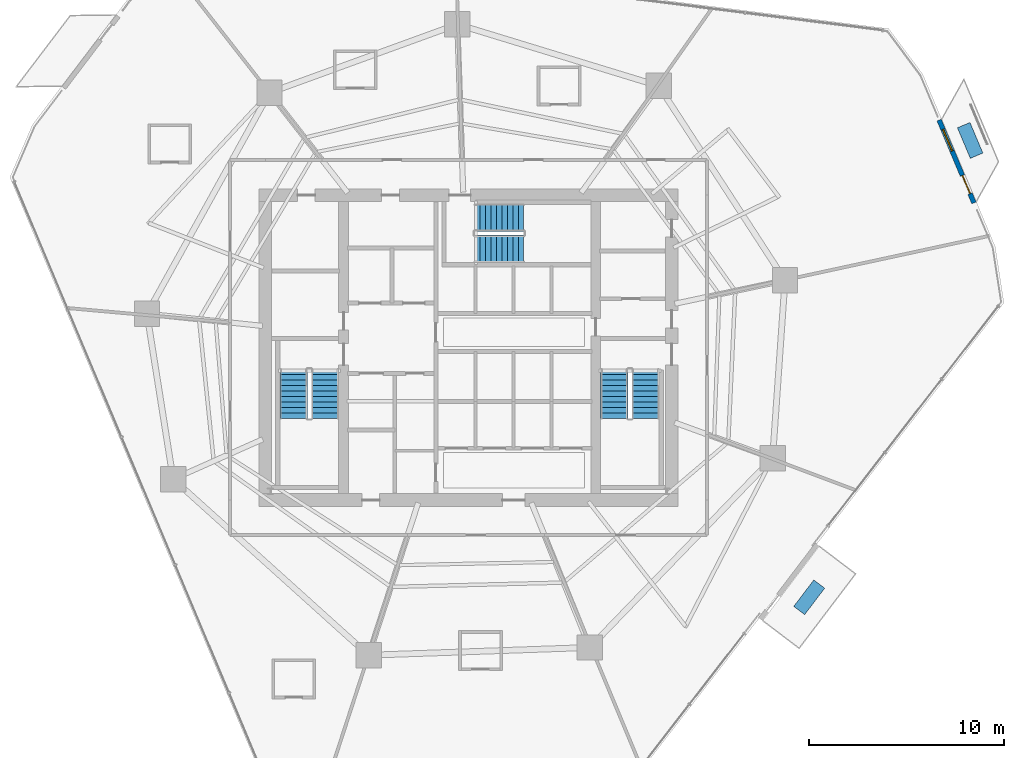
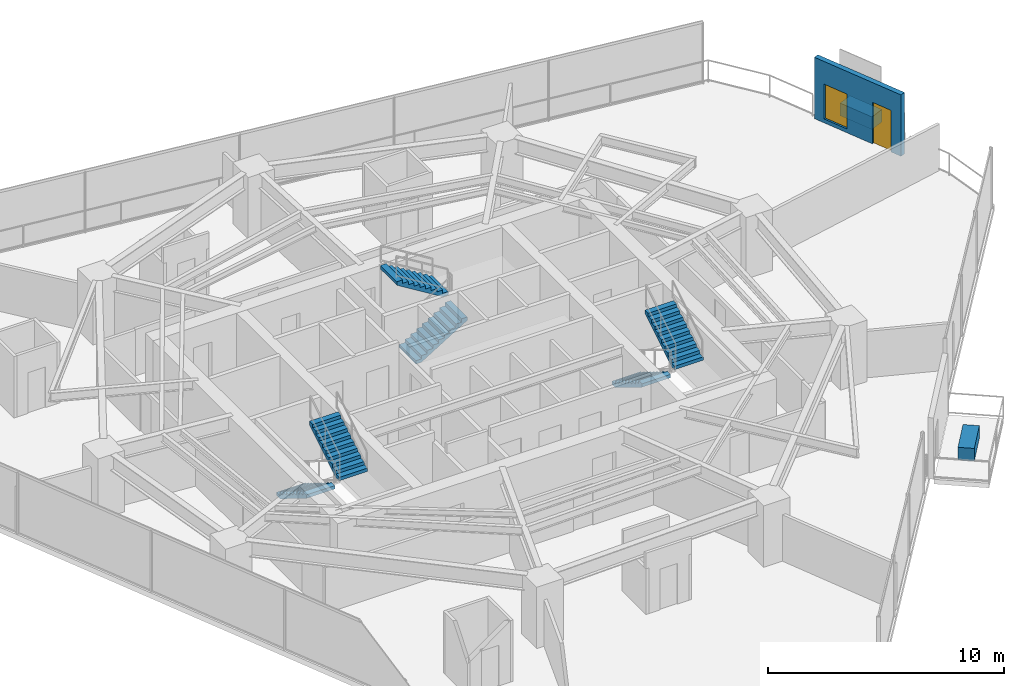
# One storey, part 28 of 30: 6 stair flights, 2 discrete accessories, 1 door, 1 wall, 1 window, 2 openings, 3 elements without a shape of their own.
"""IFC4 building model written with IfcOpenShell, lengths in metres."""

from ifc_helpers import new_model, si_unit, direction, frame, frame_2d, origin, origin_2d, place, context, subcontext, project, spatial, polyline, rectangle, outline, extrude, material, layer, layer_set, type_object, element, fill, aggregate, save


model = new_model("IFC4")

# Units and contexts
model_context = context("Model", 3, precision=1e-05, world=origin(), true_north=direction((0.0, 1.0)))
body_context = subcontext(model_context, "Body", "Model", "MODEL_VIEW")
ifc_project = project(units=[si_unit("LENGTHUNIT", "METRE"), si_unit("AREAUNIT", "SQUARE_METRE"), si_unit("VOLUMEUNIT", "CUBIC_METRE"), si_unit("PLANEANGLEUNIT", "RADIAN"), si_unit("MASSUNIT", "GRAM", prefix="KILO")], contexts=[model_context])

# Site, building, storey
site_placement = place(None, origin())
site = spatial("IfcSite", under=ifc_project, at=site_placement, CompositionType="ELEMENT")
building_placement = place(site_placement, origin())
building = spatial("IfcBuilding", under=site, at=building_placement, Name="Qarnah Convention Tower", CompositionType="ELEMENT")
storey_placement = place(building_placement, frame((0.0, 0.0, 40.800048828125)))
storey = spatial("IfcBuildingStorey", under=building, at=storey_placement, Name="L09", CompositionType="ELEMENT", Elevation=40.800048828125)

# Wall, openings, door, window
ifc_material_1 = material(Name="Precast concrete C45/55", Category="concrete")
ifc_layer = layer(ifc_material_1, 0.239990234375)
ifc_layer_set = layer_set([ifc_layer], Name="Precast concrete C45/55")
wall_type = type_object("IfcWallType", Name="WL-EXT-BAL-240", PredefinedType="SOLIDWALL", material=ifc_layer_set)
wall_placement = place(storey_placement, frame((61.27294921875, 38.0439453125, 0.0), z_axis=(0.0, 0.0, 1.0), x_axis=(0.387375943156, -0.92192183978, 0.0)))
wall = element("IfcWall", 1, at=wall_placement, inside=storey, type_object=wall_type, Name="L09 loggia threshold wall BAL-L09-C1", PredefinedType="SOLIDWALL", context=body_context, shape_type="SweptSolid", body=[
    extrude(rectangle(XDim=4.60009765625, YDim=0.239990234375, at=frame_2d((2.300048828125, 0.0))), origin(), (0.0, 0.0, 1.0), 3.169921875),
])
opening_1_placement = place(wall_placement, frame((3.080078125, 0.0, 0.0)))
opening_1 = element("IfcOpeningElement", 2, at=opening_1_placement, cuts=wall, Name="Opening BD-0901", PredefinedType="OPENING", context=body_context, shape_type="SweptSolid", body=[
    extrude(rectangle(XDim=1.0, YDim=2.14990234375, at=frame_2d((0.5, 1.074951171875))), frame((0.0, 0.1298828125, 0.0), z_axis=(0.0, -1.0, 0.0), x_axis=(1.0, 0.0, 0.0)), (0.0, 0.0, 1.0), 0.260009765625),
])
opening_2_placement = place(wall_placement, frame((0.52001953125, 0.0, 0.199951171875)))
opening_2 = element("IfcOpeningElement", 3, at=opening_2_placement, cuts=wall, Name="Opening WN5", PredefinedType="OPENING", context=body_context, shape_type="SweptSolid", body=[
    extrude(rectangle(XDim=1.199951171875, YDim=1.800048828125, at=frame_2d((0.60009765625, 0.89990234375))), frame((0.0, 0.1298828125, 0.0), z_axis=(0.0, -1.0, 0.0), x_axis=(1.0, 0.0, 0.0)), (0.0, 0.0, 1.0), 0.260009765625),
])
ifc_material_2 = material(Name="Black anodised aluminium", Category="aluminium")
door_type = type_object("IfcDoorType", Name="DT-BAL-1000", OperationType="NOTDEFINED", PredefinedType="DOOR", material=ifc_material_2)
door_placement = place(opening_1_placement, origin())
door = element("IfcDoor", 4, at=door_placement, inside=storey, type_object=door_type, Name="L09 balcony terrace door BAL-L09-C1", OperationType="SINGLE_SWING_LEFT", OverallHeight=2.14990234375, OverallWidth=1.0, PredefinedType="DOOR", context=body_context, shape_type="SweptSolid", body=[
    extrude(rectangle(XDim=1.0, YDim=2.14990234375, at=frame_2d((0.5, 1.074951171875))), frame((0.0, 0.02490234375, 0.0), z_axis=(0.0, -1.0, 0.0), x_axis=(1.0, 0.0, 0.0)), (0.0, 0.0, 1.0), 0.050048828125),
])
fill(opening_1, door)
ifc_material_3 = material(Name="Tempered Low-E dark glass", Category="glass")
window_type = type_object("IfcWindowType", Name="WT-BAL-1200X1800", PartitioningType="SINGLE_PANEL", PredefinedType="WINDOW", material=ifc_material_3)
window_placement = place(opening_2_placement, origin())
window = element("IfcWindow", 5, at=window_placement, inside=storey, type_object=window_type, Name="Window BW-BAL-L09-C1", OverallHeight=1.800048828125, OverallWidth=1.199951171875, PartitioningType="SINGLE_PANEL", PredefinedType="WINDOW", context=body_context, shape_type="SweptSolid", body=[
    extrude(rectangle(XDim=1.199951171875, YDim=1.800048828125, at=frame_2d((0.60009765625, 0.89990234375))), frame((0.0, 0.030029296875, 0.0), z_axis=(0.0, -1.0, 0.0), x_axis=(1.0, 0.0, 0.0)), (0.0, 0.0, 1.0), 0.06005859375),
])
fill(opening_2, window)

# Stair, stair flights
ifc_material_4 = material(Name="Concrete C50/60", Category="concrete")
stair_type = type_object("IfcStairType", Name="STR-HTL", PredefinedType="HALF_TURN_STAIR", material=ifc_material_4)
stair_1_placement = place(storey_placement, origin())
stair_1 = element("IfcStair", 6, at=stair_1_placement, inside=storey, type_object=stair_type, Name="L09 Core exit stair ST-1", PredefinedType="HALF_TURN_STAIR")
stair_flight_type = type_object("IfcStairFlightType", Name="FLT-HTL", PredefinedType="STRAIGHT", material=ifc_material_4)
stair_flight_1_placement = place(storey_placement, frame((28.25, 25.300048828125, 0.0), z_axis=(0.0, 0.0, 1.0), x_axis=(0.0, -1.0, 0.0)))
stair_flight_1 = element("IfcStairFlight", 7, at=stair_flight_1_placement, type_object=stair_flight_type, Name="ST-1 flight 1", NumberOfRisers=10, NumberOfTreads=9, PredefinedType="STRAIGHT", RiserHeight=0.1725, TreadLength=0.28, context=body_context, shape_type="SweptSolid", body=[
    extrude(outline(polyline([(0.0, 0.0), (0.0, 0.172607421875), (0.280029296875, 0.172607421875), (0.280029296875, 0.344970703125), (0.56005859375, 0.344970703125), (0.56005859375, 0.517578125), (0.840087890625, 0.517578125), (0.840087890625, 0.68994140625), (1.1201171875, 0.68994140625), (1.1201171875, 0.862548828125), (1.39990234375, 0.862548828125), (1.39990234375, 1.034912109375), (1.679931640625, 1.034912109375), (1.679931640625, 1.20751953125), (1.9599609375, 1.20751953125), (1.9599609375, 1.3798828125), (2.239990234375, 1.3798828125), (2.239990234375, 1.552490234375), (2.52001953125, 1.552490234375), (2.52001953125, 1.72509765625), (2.52001953125, 1.37646484375), (0.285888671875, 0.0), (0.0, 0.0)])), frame((0.0, 0.699951171875, 0.0), z_axis=(0.0, -1.0, 0.0), x_axis=(1.0, 0.0, 0.0)), (0.0, 0.0, 1.0), 1.39990234375),
])
stair_flight_2_placement = place(storey_placement, frame((29.85009765625, 22.780029296875, 1.724853515625), z_axis=(0.0, 0.0, 1.0), x_axis=(0.0, 1.0, 0.0)))
stair_flight_2 = element("IfcStairFlight", 8, at=stair_flight_2_placement, type_object=stair_flight_type, Name="ST-1 flight 2", NumberOfRisers=10, NumberOfTreads=9, PredefinedType="STRAIGHT", RiserHeight=0.1725, TreadLength=0.28, context=body_context, shape_type="SweptSolid", body=[
    extrude(outline(polyline([(0.0, 0.0), (0.0, 0.172607421875), (0.280029296875, 0.172607421875), (0.280029296875, 0.344970703125), (0.56005859375, 0.344970703125), (0.56005859375, 0.517578125), (0.840087890625, 0.517578125), (0.840087890625, 0.68994140625), (1.1201171875, 0.68994140625), (1.1201171875, 0.862548828125), (1.39990234375, 0.862548828125), (1.39990234375, 1.034912109375), (1.679931640625, 1.034912109375), (1.679931640625, 1.20751953125), (1.9599609375, 1.20751953125), (1.9599609375, 1.3798828125), (2.239990234375, 1.3798828125), (2.239990234375, 1.552490234375), (2.52001953125, 1.552490234375), (2.52001953125, 1.72509765625), (2.52001953125, 1.37646484375), (0.285888671875, 0.0), (0.0, 0.0)])), frame((0.0, 0.699951171875, 0.0), z_axis=(0.0, -1.0, 0.0), x_axis=(1.0, 0.0, 0.0)), (0.0, 0.0, 1.0), 1.39990234375),
])
aggregate(stair_1, [stair_flight_1, stair_flight_2])

stair_2_placement = place(storey_placement, origin())
stair_2 = element("IfcStair", 9, at=stair_2_placement, inside=storey, type_object=stair_type, Name="L09 Core exit stair ST-2", PredefinedType="HALF_TURN_STAIR")
stair_flight_3_placement = place(storey_placement, frame((44.64990234375, 25.300048828125, 0.0), z_axis=(0.0, 0.0, 1.0), x_axis=(0.0, -1.0, 0.0)))
stair_flight_3 = element("IfcStairFlight", 10, at=stair_flight_3_placement, type_object=stair_flight_type, Name="ST-2 flight 1", NumberOfRisers=10, NumberOfTreads=9, PredefinedType="STRAIGHT", RiserHeight=0.1725, TreadLength=0.28, context=body_context, shape_type="SweptSolid", body=[
    extrude(outline(polyline([(0.0, 0.0), (0.0, 0.172607421875), (0.280029296875, 0.172607421875), (0.280029296875, 0.344970703125), (0.56005859375, 0.344970703125), (0.56005859375, 0.517578125), (0.840087890625, 0.517578125), (0.840087890625, 0.68994140625), (1.1201171875, 0.68994140625), (1.1201171875, 0.862548828125), (1.39990234375, 0.862548828125), (1.39990234375, 1.034912109375), (1.679931640625, 1.034912109375), (1.679931640625, 1.20751953125), (1.9599609375, 1.20751953125), (1.9599609375, 1.3798828125), (2.239990234375, 1.3798828125), (2.239990234375, 1.552490234375), (2.52001953125, 1.552490234375), (2.52001953125, 1.72509765625), (2.52001953125, 1.37646484375), (0.285888671875, 0.0), (0.0, 0.0)])), frame((0.0, 0.699951171875, 0.0), z_axis=(0.0, -1.0, 0.0), x_axis=(1.0, 0.0, 0.0)), (0.0, 0.0, 1.0), 1.39990234375),
])
stair_flight_4_placement = place(storey_placement, frame((46.25, 22.780029296875, 1.724853515625), z_axis=(0.0, 0.0, 1.0), x_axis=(0.0, 1.0, 0.0)))
stair_flight_4 = element("IfcStairFlight", 11, at=stair_flight_4_placement, type_object=stair_flight_type, Name="ST-2 flight 2", NumberOfRisers=10, NumberOfTreads=9, PredefinedType="STRAIGHT", RiserHeight=0.1725, TreadLength=0.28, context=body_context, shape_type="SweptSolid", body=[
    extrude(outline(polyline([(0.0, 0.0), (0.0, 0.172607421875), (0.280029296875, 0.172607421875), (0.280029296875, 0.344970703125), (0.56005859375, 0.344970703125), (0.56005859375, 0.517578125), (0.840087890625, 0.517578125), (0.840087890625, 0.68994140625), (1.1201171875, 0.68994140625), (1.1201171875, 0.862548828125), (1.39990234375, 0.862548828125), (1.39990234375, 1.034912109375), (1.679931640625, 1.034912109375), (1.679931640625, 1.20751953125), (1.9599609375, 1.20751953125), (1.9599609375, 1.3798828125), (2.239990234375, 1.3798828125), (2.239990234375, 1.552490234375), (2.52001953125, 1.552490234375), (2.52001953125, 1.72509765625), (2.52001953125, 1.37646484375), (0.285888671875, 0.0), (0.0, 0.0)])), frame((0.0, 0.699951171875, 0.0), z_axis=(0.0, -1.0, 0.0), x_axis=(1.0, 0.0, 0.0)), (0.0, 0.0, 1.0), 1.39990234375),
])
aggregate(stair_2, [stair_flight_3, stair_flight_4])

stair_3_placement = place(storey_placement, origin())
stair_3 = element("IfcStair", 12, at=stair_3_placement, inside=storey, type_object=stair_type, Name="L09 Core exit stair ST-3", PredefinedType="HALF_TURN_STAIR")
stair_flight_5_placement = place(storey_placement, frame((37.5, 31.449951171875, 0.0), z_axis=(0.0, 0.0, 1.0), x_axis=(1.0, 0.0, 0.0)))
stair_flight_5 = element("IfcStairFlight", 13, at=stair_flight_5_placement, type_object=stair_flight_type, Name="ST-3 flight 1", NumberOfRisers=10, NumberOfTreads=9, PredefinedType="STRAIGHT", RiserHeight=0.1725, TreadLength=0.28, context=body_context, shape_type="SweptSolid", body=[
    extrude(outline(polyline([(0.0, 0.0), (0.0, 0.172607421875), (0.280029296875, 0.172607421875), (0.280029296875, 0.344970703125), (0.56005859375, 0.344970703125), (0.56005859375, 0.517578125), (0.840087890625, 0.517578125), (0.840087890625, 0.68994140625), (1.1201171875, 0.68994140625), (1.1201171875, 0.862548828125), (1.39990234375, 0.862548828125), (1.39990234375, 1.034912109375), (1.679931640625, 1.034912109375), (1.679931640625, 1.20751953125), (1.9599609375, 1.20751953125), (1.9599609375, 1.3798828125), (2.239990234375, 1.3798828125), (2.239990234375, 1.552490234375), (2.52001953125, 1.552490234375), (2.52001953125, 1.72509765625), (2.52001953125, 1.37646484375), (0.285888671875, 0.0), (0.0, 0.0)])), frame((0.0, 0.699951171875, 0.0), z_axis=(0.0, -1.0, 0.0), x_axis=(1.0, 0.0, 0.0)), (0.0, 0.0, 1.0), 1.39990234375),
])
stair_flight_6_placement = place(storey_placement, frame((40.02001953125, 33.050048828125, 1.724853515625), z_axis=(0.0, 0.0, 1.0), x_axis=(-1.0, 0.0, 0.0)))
stair_flight_6 = element("IfcStairFlight", 14, at=stair_flight_6_placement, type_object=stair_flight_type, Name="ST-3 flight 2", NumberOfRisers=10, NumberOfTreads=9, PredefinedType="STRAIGHT", RiserHeight=0.1725, TreadLength=0.28, context=body_context, shape_type="SweptSolid", body=[
    extrude(outline(polyline([(0.0, 0.0), (0.0, 0.172607421875), (0.280029296875, 0.172607421875), (0.280029296875, 0.344970703125), (0.56005859375, 0.344970703125), (0.56005859375, 0.517578125), (0.840087890625, 0.517578125), (0.840087890625, 0.68994140625), (1.1201171875, 0.68994140625), (1.1201171875, 0.862548828125), (1.39990234375, 0.862548828125), (1.39990234375, 1.034912109375), (1.679931640625, 1.034912109375), (1.679931640625, 1.20751953125), (1.9599609375, 1.20751953125), (1.9599609375, 1.3798828125), (2.239990234375, 1.3798828125), (2.239990234375, 1.552490234375), (2.52001953125, 1.552490234375), (2.52001953125, 1.72509765625), (2.52001953125, 1.37646484375), (0.285888671875, 0.0), (0.0, 0.0)])), frame((0.0, 0.699951171875, 0.0), z_axis=(0.0, -1.0, 0.0), x_axis=(1.0, 0.0, 0.0)), (0.0, 0.0, 1.0), 1.39990234375),
])
aggregate(stair_3, [stair_flight_5, stair_flight_6])

# Discrete accessories
discrete_accessory_type = type_object("IfcDiscreteAccessoryType", Name="ACC-PLANTER-900", PredefinedType="USERDEFINED", material=ifc_material_1)
for number, where, z_axis, x_axis, name in (
    (15, (62.861083984375, 37.0, 0.0), (0.0, 0.0, 1.0), (-0.387515586452, 0.921863151589, 0.0), "L09 irrigated desert balcony PLANTER BAL-L09-C1"),
    (16, (54.626953125, 13.623046875, 0.0), (0.0, 0.0, 1.0), (0.604599114862, 0.796529918024, 0.0), "L09 irrigated desert balcony PLANTER VN-L09"),
):
    element("IfcDiscreteAccessory", number, at=place(storey_placement, frame(where, z_axis=z_axis, x_axis=x_axis)), inside=storey, type_object=discrete_accessory_type, Name=name, ObjectType="PLANTER", PredefinedType="USERDEFINED", context=body_context, shape_type="SweptSolid", body=[
        extrude(rectangle(XDim=1.699951171875, YDim=0.699951171875, at=origin_2d()), origin(), (0.0, 0.0, 1.0), 0.64990234375),
    ])

save(model, "model.ifc")
